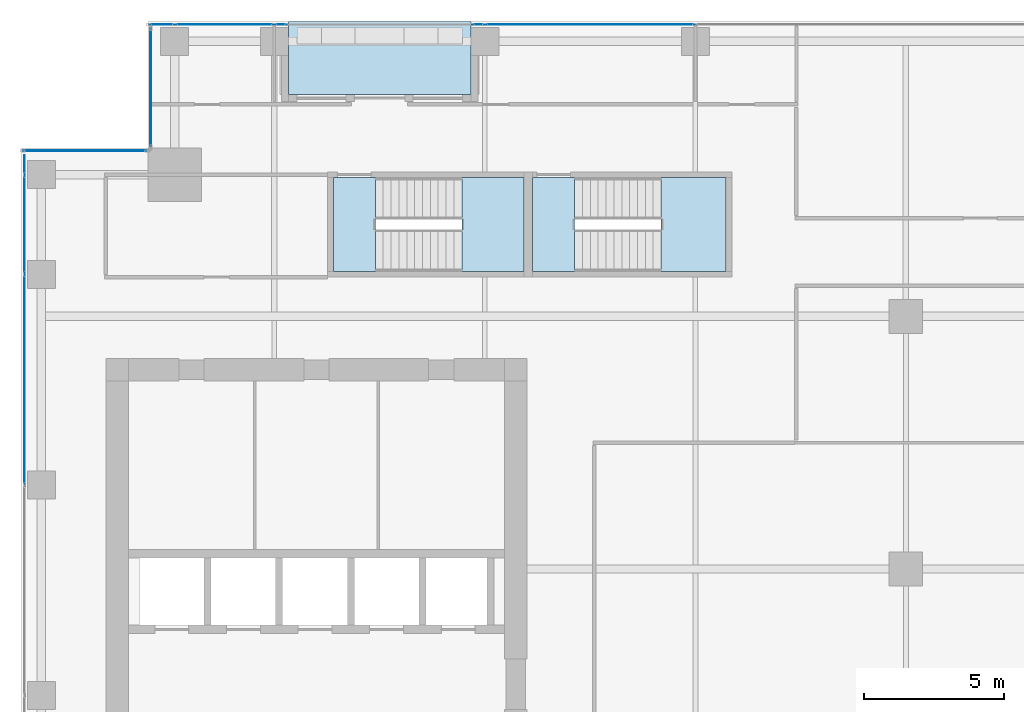
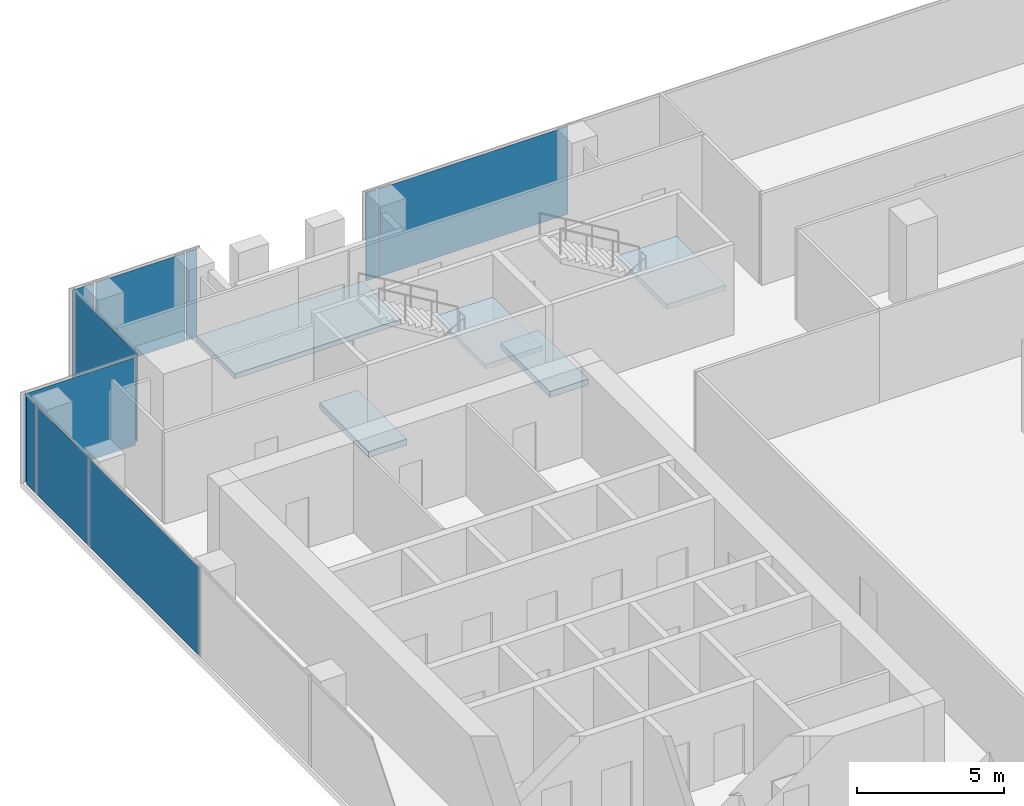
# One storey, part 32 of 40: 10 plates, 5 slabs, 7 elements without a shape of their own.
"""IFC4 building model written with IfcOpenShell, lengths in metres."""

from ifc_helpers import new_model, si_unit, direction, frame, origin, origin_2d, place, context, subcontext, project, spatial, polyline, rectangle, outline, extrude, source, transform, mapped, material, layer, layer_set, type_object, element, aggregate, save


model = new_model("IFC4")

# Units and contexts
model_context = context("Model", 3, precision=1e-05, world=origin(), true_north=direction((0.0, 1.0)))
body_context = subcontext(model_context, "Body", "Model", "MODEL_VIEW")
ifc_project = project(units=[si_unit("LENGTHUNIT", "METRE"), si_unit("AREAUNIT", "SQUARE_METRE"), si_unit("VOLUMEUNIT", "CUBIC_METRE"), si_unit("PLANEANGLEUNIT", "RADIAN"), si_unit("MASSUNIT", "GRAM", prefix="KILO")], contexts=[model_context])

# Site, building, storey
site_placement = place(None, origin())
site = spatial("IfcSite", under=ifc_project, at=site_placement, CompositionType="ELEMENT")
building_placement = place(site_placement, origin())
building = spatial("IfcBuilding", under=site, at=building_placement, Name="Khomas Fold Tower", CompositionType="ELEMENT")
storey_placement = place(building_placement, frame((0.0, 0.0, 204.699951171875)))
storey = spatial("IfcBuildingStorey", under=building, at=storey_placement, Name="L45", CompositionType="ELEMENT", Elevation=204.699951171875)

# Curtain wall, plate
ifc_material_1 = material(Name="Aluminium framed double glazing", Category="aluminium")
curtain_wall_type = type_object("IfcCurtainWallType", Name="SK-Unitised clear-glass wall, office floors CW2", PredefinedType="NOTDEFINED", material=ifc_material_1)
curtain_wall_1_placement = place(storey_placement, origin())
curtain_wall_1 = element("IfcCurtainWall", 1, at=curtain_wall_1_placement, inside=storey, type_object=curtain_wall_type, Name="CW2 corner return L45 08", PredefinedType="NOTDEFINED")
ifc_material_2 = material(Name="Clear double glazed unit")
ifc_layer_1 = layer(ifc_material_2, 0.030029296875)
ifc_layer_set_1 = layer_set([ifc_layer_1], Name="Clear double glazed unit")
plate_type = type_object("IfcPlateType", Name="SK-Unitised clear-glass wall, office floors glass panel CW2-P", PredefinedType="CURTAIN_PANEL", material=ifc_layer_set_1)
shared_shape_1 = source(origin(), body_context, "Body", "SweptSolid", [
    extrude(rectangle(XDim=4.3798828125, YDim=0.030029296875, at=origin_2d()), origin(), (0.0, 0.0, 1.0), 3.639892578125),
])
plate_1_placement = place(storey_placement, frame((5.25, 46.39990234375, 0.0), z_axis=(0.0, 0.0, 1.0), x_axis=(-1.0, 0.0, 0.0)))
plate_1 = element("IfcPlate", 2, at=plate_1_placement, type_object=plate_type, Name="CW2 glass panel 1", PredefinedType="CURTAIN_PANEL", context=body_context, shape_type="MappedRepresentation", body=[
    mapped(shared_shape_1, transform((0.0, 0.0, 0.0))),
])
aggregate(curtain_wall_1, [plate_1])

curtain_wall_2_placement = place(storey_placement, origin())
curtain_wall_2 = element("IfcCurtainWall", 3, at=curtain_wall_2_placement, inside=storey, type_object=curtain_wall_type, Name="CW2 run L45 09-0", PredefinedType="NOTDEFINED")
shared_shape_2 = source(origin(), body_context, "Body", "SweptSolid", [
    extrude(rectangle(XDim=0.659912109375, YDim=0.030029296875, at=origin_2d()), origin(), (0.0, 0.0, 1.0), 3.639892578125),
])
plate_2_placement = place(storey_placement, frame((3.10009765625, 45.909912109375, 0.0), z_axis=(0.0, 0.0, 1.0), x_axis=(0.0, -1.0, 0.0)))
plate_2 = element("IfcPlate", 4, at=plate_2_placement, type_object=plate_type, Name="CW2 glass panel 1", PredefinedType="CURTAIN_PANEL", context=body_context, shape_type="MappedRepresentation", body=[
    mapped(shared_shape_2, transform((0.0, 0.0, 0.0))),
])

curtain_wall_3_placement = place(storey_placement, origin())
curtain_wall_3 = element("IfcCurtainWall", 5, at=curtain_wall_3_placement, inside=storey, type_object=curtain_wall_type, Name="CW2 run L45 06-1", PredefinedType="NOTDEFINED")
shared_shape_3 = source(origin(), body_context, "Body", "SweptSolid", [
    extrude(rectangle(XDim=3.489990234375, YDim=0.030029296875, at=origin_2d()), origin(), (0.0, 0.0, 1.0), 3.639892578125),
])
plate_3_placement = place(storey_placement, frame((10.22509765625, 50.89990234375, 0.0), z_axis=(0.0, 0.0, 1.0), x_axis=(-1.0, 0.0, 0.0)))
plate_3 = element("IfcPlate", 6, at=plate_3_placement, type_object=plate_type, Name="CW2 glass panel 2", PredefinedType="CURTAIN_PANEL", context=body_context, shape_type="MappedRepresentation", body=[
    mapped(shared_shape_3, transform((0.0, 0.0, 0.0))),
])

# Plate
plate_4_placement = place(storey_placement, frame((3.10009765625, 43.77490234375, 0.0), z_axis=(0.0, 0.0, 1.0), x_axis=(0.0, -1.0, 0.0)))
plate_4 = element("IfcPlate", 7, at=plate_4_placement, type_object=plate_type, Name="CW2 glass panel 2", PredefinedType="CURTAIN_PANEL", context=body_context, shape_type="MappedRepresentation", body=[
    mapped(shared_shape_3, transform((0.0, 0.0, 0.0))),
])

# Curtain wall, plate
curtain_wall_4_placement = place(storey_placement, origin())
curtain_wall_4 = element("IfcCurtainWall", 8, at=curtain_wall_4_placement, inside=storey, type_object=curtain_wall_type, Name="CW2 run L45 06-0", PredefinedType="NOTDEFINED")
shared_shape_4 = source(origin(), body_context, "Body", "SweptSolid", [
    extrude(rectangle(XDim=7.43994140625, YDim=0.030029296875, at=origin_2d()), origin(), (0.0, 0.0, 1.0), 3.639892578125),
])
plate_5_placement = place(storey_placement, frame((23.25, 50.89990234375, 0.0), z_axis=(0.0, 0.0, 1.0), x_axis=(-1.0, 0.0, 0.0)))
plate_5 = element("IfcPlate", 9, at=plate_5_placement, type_object=plate_type, Name="CW2 glass panel 3", PredefinedType="CURTAIN_PANEL", context=body_context, shape_type="MappedRepresentation", body=[
    mapped(shared_shape_4, transform((0.0, 0.0, 0.0))),
])

# Plate
plate_6_placement = place(storey_placement, frame((3.10009765625, 38.25, 0.0), z_axis=(0.0, 0.0, 1.0), x_axis=(0.0, -1.0, 0.0)))
plate_6 = element("IfcPlate", 10, at=plate_6_placement, type_object=plate_type, Name="CW2 glass panel 3", PredefinedType="CURTAIN_PANEL", context=body_context, shape_type="MappedRepresentation", body=[
    mapped(shared_shape_4, transform((0.0, 0.0, 0.0))),
])

aggregate(curtain_wall_2, [plate_2, plate_4, plate_6])

# Curtain wall, plate
curtain_wall_5_placement = place(storey_placement, origin())
curtain_wall_5 = element("IfcCurtainWall", 11, at=curtain_wall_5_placement, inside=storey, type_object=curtain_wall_type, Name="CW2 corner return L45 07", PredefinedType="NOTDEFINED")
shared_shape_5 = source(origin(), body_context, "Body", "SweptSolid", [
    extrude(rectangle(XDim=4.179931640625, YDim=0.030029296875, at=origin_2d()), origin(), (0.0, 0.0, 1.0), 3.639892578125),
])
plate_7_placement = place(storey_placement, frame((7.60009765625, 48.64990234375, 0.0), z_axis=(0.0, 0.0, 1.0), x_axis=(0.0, -1.0, 0.0)))
plate_7 = element("IfcPlate", 12, at=plate_7_placement, type_object=plate_type, Name="CW2 glass panel 1", PredefinedType="CURTAIN_PANEL", context=body_context, shape_type="MappedRepresentation", body=[
    mapped(shared_shape_5, transform((0.0, 0.0, 0.0))),
])
aggregate(curtain_wall_5, [plate_7])

# Plate
shared_shape_6 = source(origin(), body_context, "Body", "SweptSolid", [
    extrude(rectangle(XDim=0.409912109375, YDim=0.030029296875, at=origin_2d()), origin(), (0.0, 0.0, 1.0), 3.639892578125),
])
plate_8_placement = place(storey_placement, frame((19.264892578125, 50.89990234375, 0.0), z_axis=(0.0, 0.0, 1.0), x_axis=(-1.0, 0.0, 0.0)))
plate_8 = element("IfcPlate", 13, at=plate_8_placement, type_object=plate_type, Name="CW2 glass panel 4", PredefinedType="CURTAIN_PANEL", context=body_context, shape_type="MappedRepresentation", body=[
    mapped(shared_shape_6, transform((0.0, 0.0, 0.0))),
])

aggregate(curtain_wall_4, [plate_5, plate_8])

plate_9_placement = place(storey_placement, frame((12.235107421875, 50.89990234375, 0.0), z_axis=(0.0, 0.0, 1.0), x_axis=(-1.0, 0.0, 0.0)))
plate_9 = element("IfcPlate", 14, at=plate_9_placement, type_object=plate_type, Name="CW2 glass panel 1", PredefinedType="CURTAIN_PANEL", context=body_context, shape_type="MappedRepresentation", body=[
    mapped(shared_shape_6, transform((0.0, 0.0, 0.0))),
])

shared_shape_7 = source(origin(), body_context, "Body", "SweptSolid", [
    extrude(rectangle(XDim=0.860107421875, YDim=0.030029296875, at=origin_2d()), origin(), (0.0, 0.0, 1.0), 3.639892578125),
])
plate_10_placement = place(storey_placement, frame((7.989990234375, 50.89990234375, 0.0), z_axis=(0.0, 0.0, 1.0), x_axis=(-1.0, 0.0, 0.0)))
plate_10 = element("IfcPlate", 15, at=plate_10_placement, type_object=plate_type, Name="CW2 glass panel 3", PredefinedType="CURTAIN_PANEL", context=body_context, shape_type="MappedRepresentation", body=[
    mapped(shared_shape_7, transform((0.0, 0.0, 0.0))),
])

aggregate(curtain_wall_3, [plate_9, plate_3, plate_10])

# Slab
ifc_material_3 = material(Name="Concrete C40/50", Category="concrete")
ifc_layer_2 = layer(ifc_material_3, 0.205078125)
ifc_layer_set_2 = layer_set([ifc_layer_2], Name="Concrete C40/50")
slab_type_1 = type_object("IfcSlabType", Name="BL-Balcony deck 205", PredefinedType="FLOOR", material=ifc_layer_set_2)
shared_shape_8 = source(origin(), body_context, "Body", "SweptSolid", [
    extrude(outline(polyline([(12.5, 48.39990234375), (19.0, 48.39990234375), (19.0, 51.0), (12.5, 51.0), (12.5, 48.39990234375)])), origin(), (0.0, 0.0, 1.0), 0.205078125),
])
slab_1_placement = place(storey_placement, frame((0.0, 0.0, -0.25)))
element("IfcSlab", 16, at=slab_1_placement, inside=storey, type_object=slab_type_1, Name="Balcony deck BAL-L45-N1", PredefinedType="FLOOR", context=body_context, shape_type="MappedRepresentation", body=[
    mapped(shared_shape_8, transform((0.0, 0.0, 0.0))),
])

# Stair, slab
ifc_material_4 = material(Name="Concrete C40/50", Category="concrete")
stair_type_1 = type_object("IfcStairType", Name="Stair ST1", PredefinedType="HALF_TURN_STAIR", material=ifc_material_4)
stair_1_placement = place(storey_placement, origin())
stair_1 = element("IfcStair", 17, at=stair_1_placement, inside=storey, type_object=stair_type_1, Name="L45 ST1", PredefinedType="HALF_TURN_STAIR")
ifc_material_5 = material(Name="Concrete C40/50", Category="concrete")
ifc_layer_3 = layer(ifc_material_5, 0.199951171875)
ifc_layer_set_3 = layer_set([ifc_layer_3], Name="Concrete C40/50")
slab_type_2 = type_object("IfcSlabType", Name="Stair landing 200", PredefinedType="LANDING", material=ifc_layer_set_3)
shared_shape_9 = source(origin(), body_context, "Body", "SweptSolid", [
    extrude(outline(polyline([(18.679931640625, 42.10009765625), (20.89990234375, 42.10009765625), (20.89990234375, 45.449951171875), (18.679931640625, 45.449951171875), (18.679931640625, 42.10009765625)])), origin(), (0.0, 0.0, 1.0), 0.199951171875),
])
slab_2_placement = place(storey_placement, frame((0.0, 0.0, 1.800048828125)))
slab_2 = element("IfcSlab", 18, at=slab_2_placement, type_object=slab_type_2, Name="ST1 landing 1", PredefinedType="LANDING", context=body_context, shape_type="MappedRepresentation", body=[
    mapped(shared_shape_9, transform((0.0, 0.0, 0.0))),
])
aggregate(stair_1, [slab_2])

# Slab
ifc_material_6 = material(Name="Concrete C40/50", Category="concrete")
ifc_layer_4 = layer(ifc_material_6, 0.25)
ifc_layer_set_4 = layer_set([ifc_layer_4], Name="Concrete C40/50")
slab_type_3 = type_object("IfcSlabType", Name="Stair floor landing 250", PredefinedType="LANDING", material=ifc_layer_set_4)
shared_shape_10 = source(origin(), body_context, "Body", "SweptSolid", [
    extrude(outline(polyline([(15.60009765625, 42.10009765625), (14.10009765625, 42.10009765625), (14.10009765625, 45.449951171875), (15.60009765625, 45.449951171875), (15.60009765625, 42.10009765625)])), origin(), (0.0, 0.0, 1.0), 0.25),
])
slab_3_placement = place(storey_placement, frame((0.0, 0.0, -0.25)))
element("IfcSlab", 19, at=slab_3_placement, inside=storey, type_object=slab_type_3, Name="ST1 floor landing", PredefinedType="LANDING", context=body_context, shape_type="MappedRepresentation", body=[
    mapped(shared_shape_10, transform((0.0, 0.0, 0.0))),
])

# Stair, slab
ifc_material_7 = material(Name="Concrete C40/50", Category="concrete")
stair_type_2 = type_object("IfcStairType", Name="Stair ST3", PredefinedType="HALF_TURN_STAIR", material=ifc_material_7)
stair_2_placement = place(storey_placement, origin())
stair_2 = element("IfcStair", 20, at=stair_2_placement, inside=storey, type_object=stair_type_2, Name="L45 ST3", PredefinedType="HALF_TURN_STAIR")
shared_shape_11 = source(origin(), body_context, "Body", "SweptSolid", [
    extrude(outline(polyline([(25.780029296875, 42.10009765625), (28.10009765625, 42.10009765625), (28.10009765625, 45.449951171875), (25.780029296875, 45.449951171875), (25.780029296875, 42.10009765625)])), origin(), (0.0, 0.0, 1.0), 0.199951171875),
])
slab_4_placement = place(storey_placement, frame((0.0, 0.0, 1.800048828125)))
slab_4 = element("IfcSlab", 21, at=slab_4_placement, type_object=slab_type_2, Name="ST3 landing 1", PredefinedType="LANDING", context=body_context, shape_type="MappedRepresentation", body=[
    mapped(shared_shape_11, transform((0.0, 0.0, 0.0))),
])
aggregate(stair_2, [slab_4])

# Slab
shared_shape_12 = source(origin(), body_context, "Body", "SweptSolid", [
    extrude(outline(polyline([(22.699951171875, 42.10009765625), (21.199951171875, 42.10009765625), (21.199951171875, 45.449951171875), (22.699951171875, 45.449951171875), (22.699951171875, 42.10009765625)])), origin(), (0.0, 0.0, 1.0), 0.25),
])
slab_5_placement = place(storey_placement, frame((0.0, 0.0, -0.25)))
element("IfcSlab", 22, at=slab_5_placement, inside=storey, type_object=slab_type_3, Name="ST3 floor landing", PredefinedType="LANDING", context=body_context, shape_type="MappedRepresentation", body=[
    mapped(shared_shape_12, transform((0.0, 0.0, 0.0))),
])

save(model, "model.ifc")
